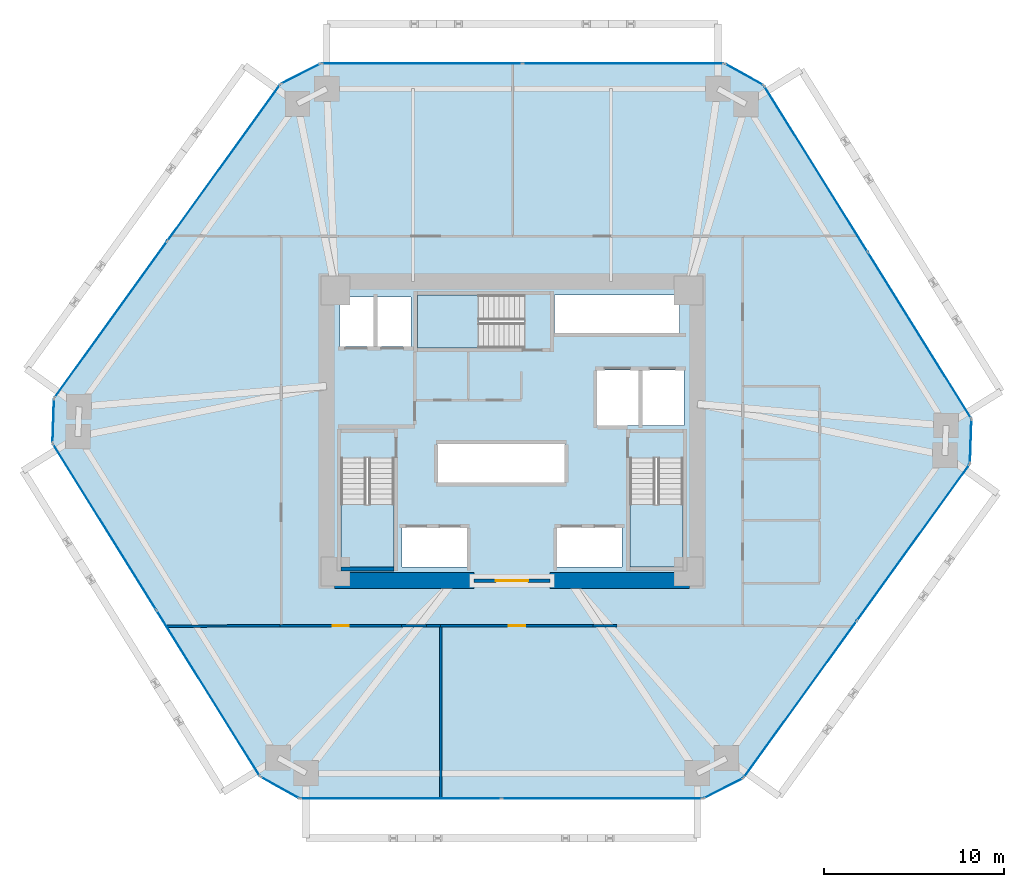
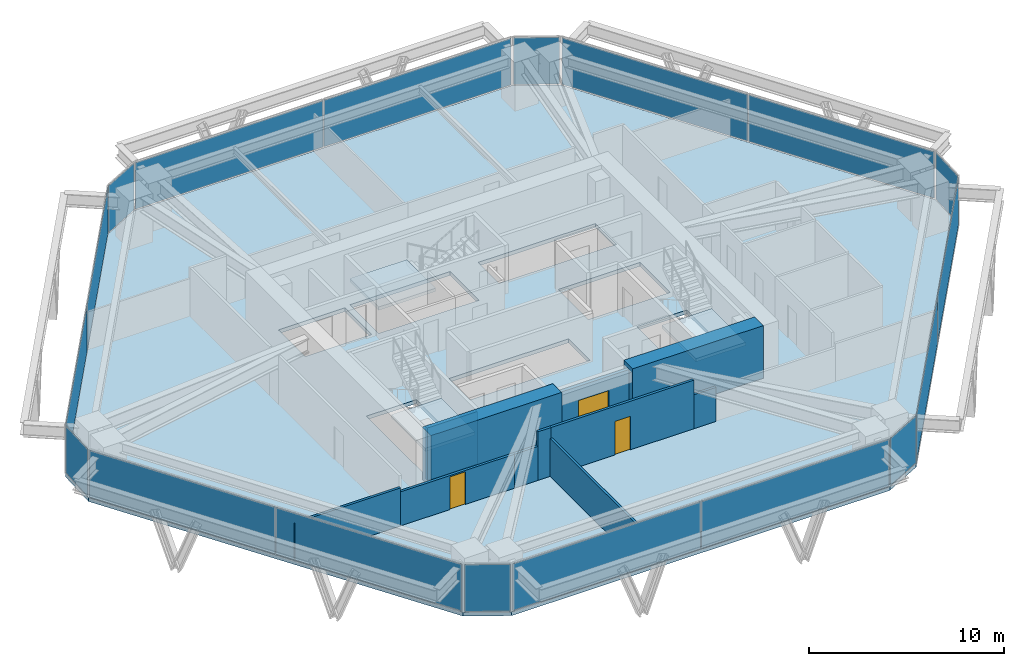
# One storey, part 10 of 14: 18 plates, 11 walls, 4 slabs, 3 doors, 3 openings, 15 elements without a shape of their own.
"""IFC4 building model written with IfcOpenShell, lengths in metres."""

from ifc_helpers import new_model, si_unit, direction, frame, frame_2d, origin, origin_2d, place, context, subcontext, project, spatial, polyline, rectangle, outline, extrude, source, transform, mapped, material, layer, layer_set, type_object, type_shapes, element, fill, aggregate, save


model = new_model("IFC4")

# Units and contexts
model_context = context("Model", 3, precision=1e-05, world=origin(), true_north=direction((0.0, 1.0)))
body_context = subcontext(model_context, "Body", "Model", "MODEL_VIEW")
ifc_project = project(units=[si_unit("LENGTHUNIT", "METRE"), si_unit("AREAUNIT", "SQUARE_METRE"), si_unit("VOLUMEUNIT", "CUBIC_METRE"), si_unit("PLANEANGLEUNIT", "RADIAN"), si_unit("MASSUNIT", "GRAM", prefix="KILO")], contexts=[model_context])

# Site, building, storey
site_placement = place(None, origin())
site = spatial("IfcSite", under=ifc_project, at=site_placement, CompositionType="ELEMENT")
building_placement = place(site_placement, origin())
building = spatial("IfcBuilding", under=site, at=building_placement, Name="Durnholm Broadcast Tower", CompositionType="ELEMENT")
storey_placement = place(building_placement, frame((0.0, 0.0, 35.699951171875)))
storey = spatial("IfcBuildingStorey", under=building, at=storey_placement, Name="L07", CompositionType="ELEMENT", Elevation=35.699951171875)

# Slab
ifc_material_1 = material(Name="Concrete C50/60", Category="concrete")
ifc_layer_1 = layer(ifc_material_1, 0.239990234375)
ifc_layer_set_1 = layer_set([ifc_layer_1], Name="Concrete C50/60")
slab_type_1 = type_object("IfcSlabType", Name="SLAB-FLR-240", PredefinedType="FLOOR", material=ifc_layer_set_1)
slab_1_placement = place(storey_placement, frame((0.0, 0.0, -0.239990234375)))
element("IfcSlab", 1, at=slab_1_placement, inside=storey, type_object=slab_type_1, Name="L07 structural floor slab", PredefinedType="FLOOR", context=body_context, shape_type="SweptSolid", body=[
    extrude(outline(polyline([(-13.9794921875, -19.186279296875), (-11.793701171875, -20.39990234375), (10.6201171875, -20.39990234375), (12.845703125, -19.260986328125), (25.419921875, -1.820556640625), (25.50439453125, 0.677978515625), (13.9794921875, 19.186279296875), (11.793701171875, 20.39990234375), (-10.6201171875, 20.39990234375), (-12.845703125, 19.260986328125), (-25.419921875, 1.820556640625), (-25.50439453125, -0.677978515625), (-13.9794921875, -19.186279296875)]), holes=[polyline([(-2.5, -5.35009765625), (-6.10009765625, -5.35009765625), (-6.10009765625, -7.550048828125), (-2.5, -7.550048828125), (-2.5, -5.35009765625)]), polyline([(6.10009765625, -5.35009765625), (2.5, -5.35009765625), (2.5, -7.550048828125), (6.10009765625, -7.550048828125), (6.10009765625, -5.35009765625)]), polyline([(-6.5400390625, -7.550048828125), (-6.5400390625, -1.5), (-9.5, -1.5), (-9.5, -7.550048828125), (-6.5400390625, -7.550048828125)]), polyline([(9.5, -7.550048828125), (9.5, -1.5), (6.5400390625, -1.5), (6.5400390625, -7.550048828125), (9.5, -7.550048828125)]), polyline([(2.949951171875, -0.699951171875), (-4.14990234375, -0.699951171875), (-4.14990234375, -2.89990234375), (2.949951171875, -2.89990234375), (2.949951171875, -0.699951171875)]), polyline([(9.550048828125, 3.39990234375), (4.699951171875, 3.39990234375), (4.699951171875, 0.300048828125), (9.550048828125, 0.300048828125), (9.550048828125, 3.39990234375)]), polyline([(-5.60009765625, 7.449951171875), (-9.550048828125, 7.449951171875), (-9.550048828125, 4.699951171875), (-5.60009765625, 4.699951171875), (-5.60009765625, 7.449951171875)]), polyline([(-5.25, 7.56005859375), (-5.25, 4.60009765625), (0.699951171875, 4.60009765625), (0.699951171875, 7.56005859375), (-5.25, 7.56005859375)]), polyline([(9.31005859375, 5.39990234375), (9.31005859375, 7.550048828125), (2.35009765625, 7.550048828125), (2.35009765625, 5.39990234375), (9.31005859375, 5.39990234375)])]), origin(), (0.0, 0.0, 1.0), 0.239990234375),
])

# Stair, slab
stair_type = type_object("IfcStairType", Name="STAIR-DL-20R1650", PredefinedType="HALF_TURN_STAIR", material=ifc_material_1)
stair_1_placement = place(storey_placement, origin())
stair_1 = element("IfcStair", 2, at=stair_1_placement, inside=storey, type_object=stair_type, Name="L07 ST-1", PredefinedType="HALF_TURN_STAIR")
ifc_layer_2 = layer(ifc_material_1, 0.199951171875)
ifc_layer_set_2 = layer_set([ifc_layer_2], Name="Concrete C50/60")
slab_type_2 = type_object("IfcSlabType", Name="SLAB-LND-200", PredefinedType="LANDING", material=ifc_layer_set_2)
slab_2_placement = place(storey_placement, frame((0.0, 0.0, 1.449951171875)))
slab_2 = element("IfcSlab", 3, at=slab_2_placement, type_object=slab_type_2, Name="ST-1 landing 1", PredefinedType="LANDING", context=body_context, shape_type="SweptSolid", body=[
    extrude(outline(polyline([(-9.5, -4.06494140625), (-9.5, -7.550048828125), (-6.5400390625, -7.550048828125), (-6.5400390625, -4.06494140625), (-9.5, -4.06494140625)])), origin(), (0.0, 0.0, 1.0), 0.2001953125),
])
aggregate(stair_1, [slab_2])

stair_2_placement = place(storey_placement, origin())
stair_2 = element("IfcStair", 4, at=stair_2_placement, inside=storey, type_object=stair_type, Name="L07 ST-2", PredefinedType="HALF_TURN_STAIR")
slab_3_placement = place(storey_placement, frame((0.0, 0.0, 1.449951171875)))
slab_3 = element("IfcSlab", 5, at=slab_3_placement, type_object=slab_type_2, Name="ST-2 landing 1", PredefinedType="LANDING", context=body_context, shape_type="SweptSolid", body=[
    extrude(outline(polyline([(6.5400390625, -4.06494140625), (6.5400390625, -7.550048828125), (9.5, -7.550048828125), (9.5, -4.06494140625), (6.5400390625, -4.06494140625)])), origin(), (0.0, 0.0, 1.0), 0.2001953125),
])
aggregate(stair_2, [slab_3])

stair_3_placement = place(storey_placement, origin())
stair_3 = element("IfcStair", 6, at=stair_3_placement, inside=storey, type_object=stair_type, Name="L07 ST-3", PredefinedType="HALF_TURN_STAIR")
slab_4_placement = place(storey_placement, frame((0.0, 0.0, 1.449951171875)))
slab_4 = element("IfcSlab", 7, at=slab_4_placement, type_object=slab_type_2, Name="ST-3 landing 1", PredefinedType="LANDING", context=body_context, shape_type="SweptSolid", body=[
    extrude(outline(polyline([(-1.864990234375, 7.56005859375), (-5.25, 7.56005859375), (-5.25, 4.60009765625), (-1.864990234375, 4.60009765625), (-1.864990234375, 7.56005859375)])), origin(), (0.0, 0.0, 1.0), 0.2001953125),
])
aggregate(stair_3, [slab_4])

# Curtain wall, plate
ifc_material_2 = material(Name="Aluminium and Solar Control IGU", Category="aluminium")
ifc_layer_3 = layer(ifc_material_2, 0.1650390625)
ifc_layer_set_3 = layer_set([ifc_layer_3], Name="Aluminium and Solar Control IGU")
curtain_wall_type_1 = type_object("IfcCurtainWallType", Name="CW-SYS-5", PredefinedType="NOTDEFINED", material=ifc_layer_set_3)
curtain_wall_1_placement = place(storey_placement, origin())
curtain_wall_1 = element("IfcCurtainWall", 8, at=curtain_wall_1_placement, inside=storey, type_object=curtain_wall_type_1, Name="L07 curtain wall CW-CORNER CW-L07-CRN-01", PredefinedType="NOTDEFINED")
ifc_material_3 = material(Name="Low-E Laminated Insulating Glass", Category="glass")
ifc_layer_4 = layer(ifc_material_3, 0.030029296875)
ifc_layer_set_4 = layer_set([ifc_layer_4], Name="Low-E Laminated Insulating Glass")
plate_type_1 = type_object("IfcPlateType", Name="CW-SYS-5-PNL", PredefinedType="CURTAIN_PANEL", material=ifc_layer_set_4)
shared_shape_1 = source(origin(), body_context, "Body", "SweptSolid", [
    extrude(rectangle(XDim=2.3701171875, YDim=0.030029296875, at=origin_2d()), origin(), (0.0, 0.0, 1.0), 2.929931640625),
])
plate_1_placement = place(storey_placement, frame((-25.462158203125, 0.5712890625, 0.06494140625), z_axis=(0.0, 0.0, 1.0), x_axis=(0.033839569233, 0.999427277772, 0.0)))
plate_1 = element("IfcPlate", 9, at=plate_1_placement, type_object=plate_type_1, Name="CW-CORNER panel 1.1", PredefinedType="CURTAIN_PANEL", context=body_context, shape_type="MappedRepresentation", body=[
    mapped(shared_shape_1, transform((0.0, 0.0, 0.0), x_axis=(1.0, 0.0, 0.0), y_axis=(0.0, 1.0, 0.0), z_axis=(0.0, 0.0, 1.0), scale=1.0)),
])
aggregate(curtain_wall_1, [plate_1])

curtain_wall_2_placement = place(storey_placement, origin())
curtain_wall_2 = element("IfcCurtainWall", 10, at=curtain_wall_2_placement, inside=storey, type_object=curtain_wall_type_1, Name="L07 curtain wall CW-CORNER CW-L07-CRN-03", PredefinedType="NOTDEFINED")
plate_2_placement = place(storey_placement, frame((-11.73291015625, 19.83056640625, 0.06494140625), z_axis=(0.0, 0.0, 1.0), x_axis=(0.890187804512, 0.455593758406, 0.0)))
plate_2 = element("IfcPlate", 11, at=plate_2_placement, type_object=plate_type_1, Name="CW-CORNER panel 1.1", PredefinedType="CURTAIN_PANEL", context=body_context, shape_type="MappedRepresentation", body=[
    mapped(shared_shape_1, transform((0.0, 0.0, 0.0), x_axis=(1.0, 0.0, 0.0), y_axis=(0.0, 1.0, 0.0), z_axis=(0.0, 0.0, 1.0), scale=1.0)),
])
aggregate(curtain_wall_2, [plate_2])

curtain_wall_3_placement = place(storey_placement, origin())
curtain_wall_3 = element("IfcCurtainWall", 12, at=curtain_wall_3_placement, inside=storey, type_object=curtain_wall_type_1, Name="L07 curtain wall CW-CORNER CW-L07-CRN-07", PredefinedType="NOTDEFINED")
plate_3_placement = place(storey_placement, frame((25.462158203125, -0.5712890625, 0.06494140625), z_axis=(0.0, 0.0, 1.0), x_axis=(-0.033839569233, -0.999427277772, 0.0)))
plate_3 = element("IfcPlate", 13, at=plate_3_placement, type_object=plate_type_1, Name="CW-CORNER panel 1.1", PredefinedType="CURTAIN_PANEL", context=body_context, shape_type="MappedRepresentation", body=[
    mapped(shared_shape_1, transform((0.0, 0.0, 0.0), x_axis=(1.0, 0.0, 0.0), y_axis=(0.0, 1.0, 0.0), z_axis=(0.0, 0.0, 1.0), scale=1.0)),
])
aggregate(curtain_wall_3, [plate_3])

curtain_wall_4_placement = place(storey_placement, origin())
curtain_wall_4 = element("IfcCurtainWall", 14, at=curtain_wall_4_placement, inside=storey, type_object=curtain_wall_type_1, Name="L07 curtain wall CW-CORNER CW-L07-CRN-09", PredefinedType="NOTDEFINED")
plate_4_placement = place(storey_placement, frame((11.73291015625, -19.83056640625, 0.06494140625), z_axis=(0.0, 0.0, 1.0), x_axis=(-0.890187804512, -0.455593758406, 0.0)))
plate_4 = element("IfcPlate", 15, at=plate_4_placement, type_object=plate_type_1, Name="CW-CORNER panel 1.1", PredefinedType="CURTAIN_PANEL", context=body_context, shape_type="MappedRepresentation", body=[
    mapped(shared_shape_1, transform((0.0, 0.0, 0.0), x_axis=(1.0, 0.0, 0.0), y_axis=(0.0, 1.0, 0.0), z_axis=(0.0, 0.0, 1.0), scale=1.0)),
])
aggregate(curtain_wall_4, [plate_4])

# Curtain wall, plates
ifc_layer_5 = layer(ifc_material_2, 0.18994140625)
ifc_layer_set_5 = layer_set([ifc_layer_5], Name="Aluminium and Solar Control IGU")
curtain_wall_type_2 = type_object("IfcCurtainWallType", Name="CW-SYS-3", PredefinedType="NOTDEFINED", material=ifc_layer_set_5)
curtain_wall_5_placement = place(storey_placement, origin())
curtain_wall_5 = element("IfcCurtainWall", 16, at=curtain_wall_5_placement, inside=storey, type_object=curtain_wall_type_2, Name="L07 curtain wall CW-Z12-VIS CW-L07-F02", PredefinedType="NOTDEFINED")
ifc_layer_6 = layer(ifc_material_3, 0.031982421875)
ifc_layer_set_6 = layer_set([ifc_layer_6], Name="Low-E Laminated Insulating Glass")
plate_type_2 = type_object("IfcPlateType", Name="CW-SYS-3-PNL", PredefinedType="CURTAIN_PANEL", material=ifc_layer_set_6)
shared_shape_2 = source(origin(), body_context, "Body", "SweptSolid", [
    extrude(rectangle(XDim=10.645263671875, YDim=0.031982421875, at=origin_2d()), origin(), (0.0, 0.0, 1.0), 2.919921875),
])
plate_5_placement = place(storey_placement, frame((-22.26611328125, 6.19482421875, 0.070068359375), z_axis=(0.0, 0.0, 1.0), x_axis=(0.584823496176, 0.81116057493, 0.0)))
plate_5 = element("IfcPlate", 17, at=plate_5_placement, type_object=plate_type_2, Name="CW-Z12-VIS panel 1.1", PredefinedType="CURTAIN_PANEL", context=body_context, shape_type="MappedRepresentation", body=[
    mapped(shared_shape_2, transform((0.0, 0.0, 0.0), x_axis=(1.0, 0.0, 0.0), y_axis=(0.0, 1.0, 0.0), z_axis=(0.0, 0.0, 1.0), scale=1.0)),
])
plate_6_placement = place(storey_placement, frame((-15.99951171875, 14.88671875, 0.070068359375), z_axis=(0.0, 0.0, 1.0), x_axis=(0.584823496176, 0.81116057493, 0.0)))
plate_6 = element("IfcPlate", 18, at=plate_6_placement, type_object=plate_type_2, Name="CW-Z12-VIS panel 2.1", PredefinedType="CURTAIN_PANEL", context=body_context, shape_type="MappedRepresentation", body=[
    mapped(shared_shape_2, transform((0.0, 0.0, 0.0), x_axis=(1.0, 0.0, 0.0), y_axis=(0.0, 1.0, 0.0), z_axis=(0.0, 0.0, 1.0), scale=1.0)),
])
aggregate(curtain_wall_5, [plate_5, plate_6])

curtain_wall_6_placement = place(storey_placement, origin())
curtain_wall_6 = element("IfcCurtainWall", 19, at=curtain_wall_6_placement, inside=storey, type_object=curtain_wall_type_2, Name="L07 curtain wall CW-Z12-VIS CW-L07-F08", PredefinedType="NOTDEFINED")
plate_7_placement = place(storey_placement, frame((22.26611328125, -6.19482421875, 0.070068359375), z_axis=(0.0, 0.0, 1.0), x_axis=(-0.584823496176, -0.81116057493, 0.0)))
plate_7 = element("IfcPlate", 20, at=plate_7_placement, type_object=plate_type_2, Name="CW-Z12-VIS panel 1.1", PredefinedType="CURTAIN_PANEL", context=body_context, shape_type="MappedRepresentation", body=[
    mapped(shared_shape_2, transform((0.0, 0.0, 0.0), x_axis=(1.0, 0.0, 0.0), y_axis=(0.0, 1.0, 0.0), z_axis=(0.0, 0.0, 1.0), scale=1.0)),
])
plate_8_placement = place(storey_placement, frame((15.99951171875, -14.88671875, 0.070068359375), z_axis=(0.0, 0.0, 1.0), x_axis=(-0.584823496176, -0.81116057493, 0.0)))
plate_8 = element("IfcPlate", 21, at=plate_8_placement, type_object=plate_type_2, Name="CW-Z12-VIS panel 2.1", PredefinedType="CURTAIN_PANEL", context=body_context, shape_type="MappedRepresentation", body=[
    mapped(shared_shape_2, transform((0.0, 0.0, 0.0), x_axis=(1.0, 0.0, 0.0), y_axis=(0.0, 1.0, 0.0), z_axis=(0.0, 0.0, 1.0), scale=1.0)),
])
aggregate(curtain_wall_6, [plate_7, plate_8])

# Curtain wall, plate
curtain_wall_7_placement = place(storey_placement, origin())
curtain_wall_7 = element("IfcCurtainWall", 22, at=curtain_wall_7_placement, inside=storey, type_object=curtain_wall_type_1, Name="L07 curtain wall CW-CORNER CW-L07-CRN-05", PredefinedType="NOTDEFINED")
shared_shape_3 = source(origin(), body_context, "Body", "SweptSolid", [
    extrude(rectangle(XDim=2.369873046875, YDim=0.030029296875, at=origin_2d()), origin(), (0.0, 0.0, 1.0), 2.929931640625),
])
type_shapes(plate_type_1, [shared_shape_1, shared_shape_3])
plate_9_placement = place(storey_placement, frame((12.88671875, 19.793212890625, 0.06494140625), z_axis=(0.0, 0.0, 1.0), x_axis=(0.874245941394, -0.485483299359, 0.0)))
plate_9 = element("IfcPlate", 23, at=plate_9_placement, type_object=plate_type_1, Name="CW-CORNER panel 1.1", PredefinedType="CURTAIN_PANEL", context=body_context, shape_type="MappedRepresentation", body=[
    mapped(shared_shape_3, transform((0.0, 0.0, 0.0), x_axis=(1.0, 0.0, 0.0), y_axis=(0.0, 1.0, 0.0), z_axis=(0.0, 0.0, 1.0), scale=1.0)),
])
aggregate(curtain_wall_7, [plate_9])

curtain_wall_8_placement = place(storey_placement, origin())
curtain_wall_8 = element("IfcCurtainWall", 24, at=curtain_wall_8_placement, inside=storey, type_object=curtain_wall_type_1, Name="L07 curtain wall CW-CORNER CW-L07-CRN-11", PredefinedType="NOTDEFINED")
plate_10_placement = place(storey_placement, frame((-12.88671875, -19.793212890625, 0.06494140625), z_axis=(0.0, 0.0, 1.0), x_axis=(-0.874245941394, 0.485483299359, 0.0)))
plate_10 = element("IfcPlate", 25, at=plate_10_placement, type_object=plate_type_1, Name="CW-CORNER panel 1.1", PredefinedType="CURTAIN_PANEL", context=body_context, shape_type="MappedRepresentation", body=[
    mapped(shared_shape_3, transform((0.0, 0.0, 0.0), x_axis=(1.0, 0.0, 0.0), y_axis=(0.0, 1.0, 0.0), z_axis=(0.0, 0.0, 1.0), scale=1.0)),
])
aggregate(curtain_wall_8, [plate_10])

# Curtain wall, plates
curtain_wall_9_placement = place(storey_placement, origin())
curtain_wall_9 = element("IfcCurtainWall", 26, at=curtain_wall_9_placement, inside=storey, type_object=curtain_wall_type_2, Name="L07 curtain wall CW-Z12-VIS CW-L07-F06", PredefinedType="NOTDEFINED")
shared_shape_4 = source(origin(), body_context, "Body", "SweptSolid", [
    extrude(rectangle(XDim=10.796630859375, YDim=0.031982421875, at=origin_2d()), origin(), (0.0, 0.0, 1.0), 2.919921875),
])
plate_11_placement = place(storey_placement, frame((16.869873046875, 14.54443359375, 0.070068359375), z_axis=(0.0, 0.0, 1.0), x_axis=(0.528592376777, -0.848875785503, 0.0)))
plate_11 = element("IfcPlate", 27, at=plate_11_placement, type_object=plate_type_2, Name="CW-Z12-VIS panel 1.1", PredefinedType="CURTAIN_PANEL", context=body_context, shape_type="MappedRepresentation", body=[
    mapped(shared_shape_4, transform((0.0, 0.0, 0.0), x_axis=(1.0, 0.0, 0.0), y_axis=(0.0, 1.0, 0.0), z_axis=(0.0, 0.0, 1.0), scale=1.0)),
])
plate_12_placement = place(storey_placement, frame((22.614013671875, 5.320068359375, 0.070068359375), z_axis=(0.0, 0.0, 1.0), x_axis=(0.528592376777, -0.848875785503, 0.0)))
plate_12 = element("IfcPlate", 28, at=plate_12_placement, type_object=plate_type_2, Name="CW-Z12-VIS panel 2.1", PredefinedType="CURTAIN_PANEL", context=body_context, shape_type="MappedRepresentation", body=[
    mapped(shared_shape_4, transform((0.0, 0.0, 0.0), x_axis=(1.0, 0.0, 0.0), y_axis=(0.0, 1.0, 0.0), z_axis=(0.0, 0.0, 1.0), scale=1.0)),
])
aggregate(curtain_wall_9, [plate_11, plate_12])

curtain_wall_10_placement = place(storey_placement, origin())
curtain_wall_10 = element("IfcCurtainWall", 29, at=curtain_wall_10_placement, inside=storey, type_object=curtain_wall_type_2, Name="L07 curtain wall CW-Z12-VIS CW-L07-F12", PredefinedType="NOTDEFINED")
plate_13_placement = place(storey_placement, frame((-16.869873046875, -14.54443359375, 0.070068359375), z_axis=(0.0, 0.0, 1.0), x_axis=(-0.528592376777, 0.848875785503, 0.0)))
plate_13 = element("IfcPlate", 30, at=plate_13_placement, type_object=plate_type_2, Name="CW-Z12-VIS panel 1.1", PredefinedType="CURTAIN_PANEL", context=body_context, shape_type="MappedRepresentation", body=[
    mapped(shared_shape_4, transform((0.0, 0.0, 0.0), x_axis=(1.0, 0.0, 0.0), y_axis=(0.0, 1.0, 0.0), z_axis=(0.0, 0.0, 1.0), scale=1.0)),
])
plate_14_placement = place(storey_placement, frame((-22.614013671875, -5.320068359375, 0.070068359375), z_axis=(0.0, 0.0, 1.0), x_axis=(-0.528592376777, 0.848875785503, 0.0)))
plate_14 = element("IfcPlate", 31, at=plate_14_placement, type_object=plate_type_2, Name="CW-Z12-VIS panel 2.1", PredefinedType="CURTAIN_PANEL", context=body_context, shape_type="MappedRepresentation", body=[
    mapped(shared_shape_4, transform((0.0, 0.0, 0.0), x_axis=(1.0, 0.0, 0.0), y_axis=(0.0, 1.0, 0.0), z_axis=(0.0, 0.0, 1.0), scale=1.0)),
])
aggregate(curtain_wall_10, [plate_13, plate_14])

curtain_wall_11_placement = place(storey_placement, origin())
curtain_wall_11 = element("IfcCurtainWall", 32, at=curtain_wall_11_placement, inside=storey, type_object=curtain_wall_type_2, Name="L07 curtain wall CW-Z12-VIS CW-L07-F04", PredefinedType="NOTDEFINED")
shared_shape_5 = source(origin(), body_context, "Body", "SweptSolid", [
    extrude(rectangle(XDim=11.10205078125, YDim=0.031982421875, at=origin_2d()), origin(), (0.0, 0.0, 1.0), 2.919921875),
])
type_shapes(plate_type_2, [shared_shape_2, shared_shape_4, shared_shape_5])
plate_15_placement = place(storey_placement, frame((-4.999267578125, 20.39990234375, 0.070068359375), z_axis=(0.0, 0.0, 1.0), x_axis=(1.0, 0.0, 0.0)))
plate_15 = element("IfcPlate", 33, at=plate_15_placement, type_object=plate_type_2, Name="CW-Z12-VIS panel 1.1", PredefinedType="CURTAIN_PANEL", context=body_context, shape_type="MappedRepresentation", body=[
    mapped(shared_shape_5, transform((0.0, 0.0, 0.0), x_axis=(1.0, 0.0, 0.0), y_axis=(0.0, 1.0, 0.0), z_axis=(0.0, 0.0, 1.0), scale=1.0)),
])
plate_16_placement = place(storey_placement, frame((6.1728515625, 20.39990234375, 0.070068359375), z_axis=(0.0, 0.0, 1.0), x_axis=(1.0, 0.0, 0.0)))
plate_16 = element("IfcPlate", 34, at=plate_16_placement, type_object=plate_type_2, Name="CW-Z12-VIS panel 2.1", PredefinedType="CURTAIN_PANEL", context=body_context, shape_type="MappedRepresentation", body=[
    mapped(shared_shape_5, transform((0.0, 0.0, 0.0), x_axis=(1.0, 0.0, 0.0), y_axis=(0.0, 1.0, 0.0), z_axis=(0.0, 0.0, 1.0), scale=1.0)),
])
aggregate(curtain_wall_11, [plate_15, plate_16])

curtain_wall_12_placement = place(storey_placement, origin())
curtain_wall_12 = element("IfcCurtainWall", 35, at=curtain_wall_12_placement, inside=storey, type_object=curtain_wall_type_2, Name="L07 curtain wall CW-Z12-VIS CW-L07-F10", PredefinedType="NOTDEFINED")
plate_17_placement = place(storey_placement, frame((4.999267578125, -20.39990234375, 0.070068359375), z_axis=(0.0, 0.0, 1.0), x_axis=(-1.0, 0.0, 0.0)))
plate_17 = element("IfcPlate", 36, at=plate_17_placement, type_object=plate_type_2, Name="CW-Z12-VIS panel 1.1", PredefinedType="CURTAIN_PANEL", context=body_context, shape_type="MappedRepresentation", body=[
    mapped(shared_shape_5, transform((0.0, 0.0, 0.0), x_axis=(1.0, 0.0, 0.0), y_axis=(0.0, 1.0, 0.0), z_axis=(0.0, 0.0, 1.0), scale=1.0)),
])
plate_18_placement = place(storey_placement, frame((-6.1728515625, -20.39990234375, 0.070068359375), z_axis=(0.0, 0.0, 1.0), x_axis=(-1.0, 0.0, 0.0)))
plate_18 = element("IfcPlate", 37, at=plate_18_placement, type_object=plate_type_2, Name="CW-Z12-VIS panel 2.1", PredefinedType="CURTAIN_PANEL", context=body_context, shape_type="MappedRepresentation", body=[
    mapped(shared_shape_5, transform((0.0, 0.0, 0.0), x_axis=(1.0, 0.0, 0.0), y_axis=(0.0, 1.0, 0.0), z_axis=(0.0, 0.0, 1.0), scale=1.0)),
])
aggregate(curtain_wall_12, [plate_17, plate_18])

# Walls
ifc_material_4 = material(Name="Concrete C70/85", Category="concrete")
ifc_layer_7 = layer(ifc_material_4, 0.89990234375)
ifc_layer_set_7 = layer_set([ifc_layer_7], Name="Concrete C70/85")
wall_type_1 = type_object("IfcWallType", Name="WALL-CW-900", PredefinedType="SHEAR", material=ifc_layer_set_7)
for number, where, z_axis, x_axis, name in (
    (38, (-9.85009765625, -8.300048828125, 0.0), (0.0, 0.0, 1.0), (1.0, 0.0, 0.0), "L07 central core shear wall CW-S1"),
    (39, (2.10009765625, -8.300048828125, 0.0), (0.0, 0.0, 1.0), (1.0, 0.0, 0.0), "L07 central core shear wall CW-S2"),
):
    element("IfcWall", number, at=place(storey_placement, frame(where, z_axis=z_axis, x_axis=x_axis)), inside=storey, type_object=wall_type_1, Name=name, PredefinedType="SHEAR", context=body_context, shape_type="SweptSolid", body=[
        extrude(rectangle(XDim=7.75, YDim=0.89990234375, at=frame_2d((3.875, 0.0))), origin(), (0.0, 0.0, 1.0), 3.300048828125),
    ])

# Wall, opening, door
ifc_material_5 = material(Name="Fire-Rated Gypsum Shaftwall", Category="concrete")
ifc_layer_8 = layer(ifc_material_5, 0.199951171875)
ifc_layer_set_8 = layer_set([ifc_layer_8], Name="Fire-Rated Gypsum Shaftwall")
wall_type_2 = type_object("IfcWallType", Name="WALL-LOB-200", PredefinedType="SOLIDWALL", material=ifc_layer_set_8)
wall_1_placement = place(storey_placement, frame((-2.10009765625, -8.300048828125, 0.0), z_axis=(0.0, 0.0, 1.0), x_axis=(1.0, 0.0, 0.0)))
wall_1 = element("IfcWall", 40, at=wall_1_placement, inside=storey, type_object=wall_type_2, Name="L07 south core lobby fire screen", PredefinedType="SOLIDWALL", context=body_context, shape_type="SweptSolid", body=[
    extrude(rectangle(XDim=4.2001953125, YDim=0.199951171875, at=frame_2d((2.10009765625, 0.0))), origin(), (0.0, 0.0, 1.0), 3.045166015625),
])
opening_1_placement = place(wall_1_placement, frame((1.199951171875, 0.0, 0.0)))
opening_1 = element("IfcOpeningElement", 41, at=opening_1_placement, cuts=wall_1, Name="Opening DP-60", PredefinedType="OPENING", context=body_context, shape_type="SweptSolid", body=[
    extrude(rectangle(XDim=1.800048828125, YDim=2.14990234375, at=frame_2d((0.89990234375, 1.074951171875))), frame((0.0, 0.10986328125, 0.0), z_axis=(0.0, -1.0, 0.0), x_axis=(1.0, 0.0, 0.0)), (0.0, 0.0, 1.0), 0.219970703125),
])
ifc_material_6 = material(Name="Fire-Rated Double Corridor Door", Category="steel")
ifc_layer_9 = layer(ifc_material_6, 0.050048828125)
ifc_layer_set_9 = layer_set([ifc_layer_9], Name="Fire-Rated Double Corridor Door")
door_type_1 = type_object("IfcDoorType", Name="DOOR-PAIR-FD60", OperationType="DOUBLE_DOOR_SINGLE_SWING", PredefinedType="DOOR", material=ifc_layer_set_9)
shared_shape_6 = source(origin(), body_context, "Body", "SweptSolid", [
    extrude(rectangle(XDim=1.800048828125, YDim=2.14990234375, at=frame_2d((0.89990234375, 1.074951171875))), frame((0.0, 0.02490234375, 0.0), z_axis=(0.0, -1.0, 0.0), x_axis=(1.0, 0.0, 0.0)), (0.0, 0.0, 1.0), 0.050048828125),
])
type_shapes(door_type_1, [shared_shape_6])
door_1_placement = place(opening_1_placement, origin())
door_1 = element("IfcDoor", 42, at=door_1_placement, inside=storey, type_object=door_type_1, Name="L07 south core lobby double fire door", OperationType="DOUBLE_DOOR_SINGLE_SWING", OverallHeight=2.14990234375, OverallWidth=1.800048828125, PredefinedType="DOOR", context=body_context, shape_type="MappedRepresentation", body=[
    mapped(shared_shape_6, transform((0.0, 0.0, 0.0), x_axis=(1.0, 0.0, 0.0), y_axis=(0.0, 1.0, 0.0), z_axis=(0.0, 0.0, 1.0), scale=1.0)),
])
fill(opening_1, door_1)

# Walls
ifc_material_7 = material(Name="Gypsum Metal Stud Partition", Category="concrete")
ifc_layer_10 = layer(ifc_material_7, 0.135009765625)
ifc_layer_set_10 = layer_set([ifc_layer_10], Name="Gypsum Metal Stud Partition")
wall_type_3 = type_object("IfcWallType", Name="WALL-PART-135", PredefinedType="PARTITIONING", material=ifc_layer_set_10)
wall_2_placement = place(storey_placement, frame((-3.9599609375, -10.888916015625, 0.0), z_axis=(0.0, 0.0, 1.0), x_axis=(0.0, -1.0, 0.0)))
element("IfcWall", 43, at=wall_2_placement, inside=storey, type_object=wall_type_3, Name="L07 room dividing partition 8.9", PredefinedType="PARTITIONING", context=body_context, shape_type="SweptSolid", body=[
    extrude(rectangle(XDim=9.510986328125, YDim=0.135009765625, at=frame_2d((4.75537109375, 0.0))), origin(), (0.0, 0.0, 1.0), 2.380126953125),
])
wall_3_placement = place(storey_placement, frame((-19.18212890625, -10.831298828125, 0.0), z_axis=(0.0, 0.0, 1.0), x_axis=(0.999994432845, 0.003336806783, 0.0)))
element("IfcWall", 44, at=wall_3_placement, inside=storey, type_object=wall_type_3, Name="L07 room dividing partition 8.10", PredefinedType="PARTITIONING", context=body_context, shape_type="SweptSolid", body=[
    extrude(rectangle(XDim=6.292236328125, YDim=0.135009765625, at=frame_2d((3.14599609375, 0.0))), origin(), (0.0, 0.0, 1.0), 2.380126953125),
])

# Wall, opening, door
ifc_material_8 = material(Name="Acoustic Gypsum Stud Partition", Category="concrete")
ifc_layer_11 = layer(ifc_material_8, 0.14990234375)
ifc_layer_set_11 = layer_set([ifc_layer_11], Name="Acoustic Gypsum Stud Partition")
wall_type_4 = type_object("IfcWallType", Name="WALL-PART-150", PredefinedType="PARTITIONING", material=ifc_layer_set_11)
wall_4_placement = place(storey_placement, frame((-12.889892578125, -10.81005859375, 0.0), z_axis=(0.0, 0.0, 1.0), x_axis=(1.0, 0.0, 0.0)))
wall_4 = element("IfcWall", 45, at=wall_4_placement, inside=storey, type_object=wall_type_4, Name="L07 Open Plan Broadcast Workspace 4 corridor partition", PredefinedType="PARTITIONING", context=body_context, shape_type="SweptSolid", body=[
    extrude(rectangle(XDim=6.768310546875, YDim=0.14990234375, at=frame_2d((3.38427734375, 0.0))), origin(), (0.0, 0.0, 1.0), 2.130126953125),
])
opening_2_placement = place(wall_4_placement, frame((2.93408203125, 0.0, 0.0)))
opening_2 = element("IfcOpeningElement", 46, at=opening_2_placement, cuts=wall_4, Name="Opening DW-90L", PredefinedType="OPENING", context=body_context, shape_type="SweptSolid", body=[
    extrude(rectangle(XDim=0.89990234375, YDim=2.050048828125, at=frame_2d((0.449951171875, 1.02490234375))), frame((0.0, 0.0849609375, 0.0), z_axis=(0.0, -1.0, 0.0), x_axis=(1.0, 0.0, 0.0)), (0.0, 0.0, 1.0), 0.169921875),
])
ifc_material_9 = material(Name="Laminate Restroom Door", Category="steel")
ifc_layer_12 = layer(ifc_material_9, 0.050048828125)
ifc_layer_set_12 = layer_set([ifc_layer_12], Name="Laminate Restroom Door")
door_type_2 = type_object("IfcDoorType", Name="DOOR-WC-900L", OperationType="NOTDEFINED", PredefinedType="DOOR", material=ifc_layer_set_12)
shared_shape_7 = source(origin(), body_context, "Body", "SweptSolid", [
    extrude(rectangle(XDim=0.89990234375, YDim=2.050048828125, at=frame_2d((0.449951171875, 1.02490234375))), frame((0.0, 0.02490234375, 0.0), z_axis=(0.0, -1.0, 0.0), x_axis=(1.0, 0.0, 0.0)), (0.0, 0.0, 1.0), 0.050048828125),
])
type_shapes(door_type_2, [shared_shape_7])
door_2_placement = place(opening_2_placement, origin())
door_2 = element("IfcDoor", 47, at=door_2_placement, inside=storey, type_object=door_type_2, Name="L07 Open Plan Broadcast Workspace 4 entrance door", OperationType="SINGLE_SWING_LEFT", OverallHeight=2.050048828125, OverallWidth=0.89990234375, PredefinedType="DOOR", context=body_context, shape_type="MappedRepresentation", body=[
    mapped(shared_shape_7, transform((0.0, 0.0, 0.0), x_axis=(1.0, 0.0, 0.0), y_axis=(0.0, 1.0, 0.0), z_axis=(0.0, 0.0, 1.0), scale=1.0)),
])
fill(opening_2, door_2)

# Walls
wall_5_placement = place(storey_placement, frame((-4.749755859375, -10.81005859375, 0.0), z_axis=(0.0, 0.0, 1.0), x_axis=(1.0, 0.0, 0.0)))
element("IfcWall", 48, at=wall_5_placement, inside=storey, type_object=wall_type_4, Name="L07 Open Plan Broadcast Workspace 4 corridor partition", PredefinedType="PARTITIONING", context=body_context, shape_type="SweptSolid", body=[
    extrude(rectangle(XDim=0.789794921875, YDim=0.14990234375, at=frame_2d((0.39501953125, 0.0))), origin(), (0.0, 0.0, 1.0), 3.045166015625),
])
wall_6_placement = place(storey_placement, frame((-6.12158203125, -10.81005859375, 0.0), z_axis=(0.0, 0.0, 1.0), x_axis=(1.0, 0.0, 0.0)))
element("IfcWall", 49, at=wall_6_placement, inside=storey, type_object=wall_type_4, Name="L07 Open Plan Broadcast Workspace 4 corridor partition", PredefinedType="PARTITIONING", context=body_context, shape_type="SweptSolid", body=[
    extrude(rectangle(XDim=1.371826171875, YDim=0.14990234375, at=frame_2d((0.68603515625, 0.0))), origin(), (0.0, 0.0, 1.0), 2.130126953125),
])

# Wall, opening, door
wall_7_placement = place(storey_placement, frame((-3.9599609375, -10.81005859375, 0.0), z_axis=(0.0, 0.0, 1.0), x_axis=(1.0, 0.0, 0.0)))
wall_7 = element("IfcWall", 50, at=wall_7_placement, inside=storey, type_object=wall_type_4, Name="L07 Executive Producer Office corridor partition", PredefinedType="PARTITIONING", context=body_context, shape_type="SweptSolid", body=[
    extrude(rectangle(XDim=8.459228515625, YDim=0.14990234375, at=frame_2d((4.2294921875, 0.0))), origin(), (0.0, 0.0, 1.0), 3.045166015625),
])
opening_3_placement = place(wall_7_placement, frame((3.76953125, 0.0, 0.0)))
opening_3 = element("IfcOpeningElement", 51, at=opening_3_placement, cuts=wall_7, Name="Opening DR-92R", PredefinedType="OPENING", context=body_context, shape_type="SweptSolid", body=[
    extrude(rectangle(XDim=0.919921875, YDim=2.10009765625, at=frame_2d((0.4599609375, 1.050048828125))), frame((0.0, 0.0849609375, 0.0), z_axis=(0.0, -1.0, 0.0), x_axis=(1.0, 0.0, 0.0)), (0.0, 0.0, 1.0), 0.169921875),
])
ifc_material_10 = material(Name="Oak Veneer Office Door", Category="wood")
ifc_layer_13 = layer(ifc_material_10, 0.050048828125)
ifc_layer_set_13 = layer_set([ifc_layer_13], Name="Oak Veneer Office Door")
door_type_3 = type_object("IfcDoorType", Name="DOOR-RM-920R", OperationType="NOTDEFINED", PredefinedType="DOOR", material=ifc_layer_set_13)
shared_shape_8 = source(origin(), body_context, "Body", "SweptSolid", [
    extrude(rectangle(XDim=0.919921875, YDim=2.10009765625, at=frame_2d((0.4599609375, 1.050048828125))), frame((0.0, 0.02490234375, 0.0), z_axis=(0.0, -1.0, 0.0), x_axis=(1.0, 0.0, 0.0)), (0.0, 0.0, 1.0), 0.050048828125),
])
type_shapes(door_type_3, [shared_shape_8])
door_3_placement = place(opening_3_placement, origin())
door_3 = element("IfcDoor", 52, at=door_3_placement, inside=storey, type_object=door_type_3, Name="L07 Executive Producer Office entrance door", OperationType="SINGLE_SWING_RIGHT", OverallHeight=2.10009765625, OverallWidth=0.919921875, PredefinedType="DOOR", context=body_context, shape_type="MappedRepresentation", body=[
    mapped(shared_shape_8, transform((0.0, 0.0, 0.0), x_axis=(1.0, 0.0, 0.0), y_axis=(0.0, 1.0, 0.0), z_axis=(0.0, 0.0, 1.0), scale=1.0)),
])
fill(opening_3, door_3)

# Walls
wall_8_placement = place(storey_placement, frame((4.499267578125, -10.81005859375, 0.0), z_axis=(0.0, 0.0, 1.0), x_axis=(1.0, 0.0, 0.0)))
element("IfcWall", 53, at=wall_8_placement, inside=storey, type_object=wall_type_4, Name="L07 Executive Producer Office corridor partition", PredefinedType="PARTITIONING", context=body_context, shape_type="SweptSolid", body=[
    extrude(rectangle(XDim=1.318115234375, YDim=0.14990234375, at=frame_2d((0.6591796875, 0.0))), origin(), (0.0, 0.0, 1.0), 2.130126953125),
])
ifc_layer_14 = layer(ifc_material_1, 0.219970703125)
ifc_layer_set_14 = layer_set([ifc_layer_14], Name="Concrete C50/60")
wall_type_5 = type_object("IfcWallType", Name="WALL-SW-220", PredefinedType="SHEAR", material=ifc_layer_set_14)
wall_9_placement = place(storey_placement, frame((-9.5, -7.659912109375, -0.239990234375), z_axis=(0.0, 0.0, 1.0), x_axis=(1.0, 0.0, 0.0)))
element("IfcWall", 54, at=wall_9_placement, inside=storey, type_object=wall_type_5, Name="L07 stair ST-1 structural shaft wall S", PredefinedType="SHEAR", context=body_context, shape_type="SweptSolid", body=[
    extrude(rectangle(XDim=2.9599609375, YDim=0.219970703125, at=frame_2d((1.47998046875, 0.0))), origin(), (0.0, 0.0, 1.0), 3.300048828125),
])

save(model, "model.ifc")
